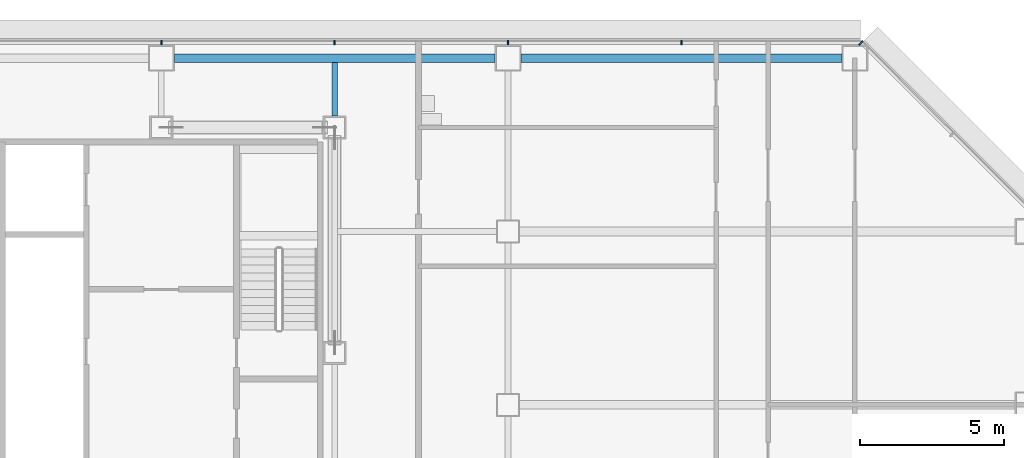
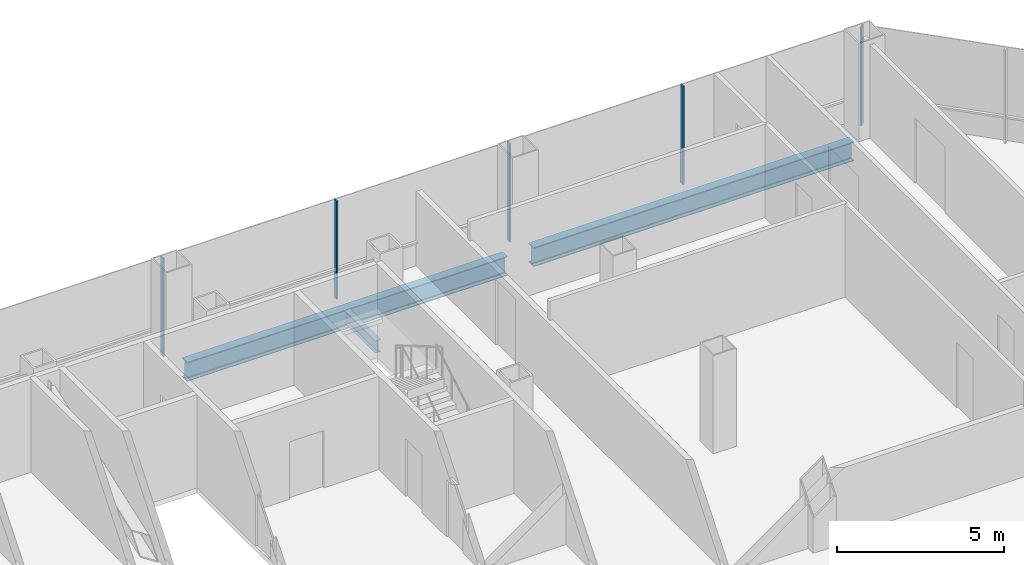
# One storey, part 15 of 26: 5 members, 3 beams, 2 elements without a shape of their own.
"""IFC4 building model written with IfcOpenShell, lengths in metres."""

from ifc_helpers import new_model, si_unit, direction, frame, origin, origin_2d, place, context, subcontext, project, spatial, rectangle, i_section, extrude, material, material_profile, profile_set, type_object, element, aggregate, save


model = new_model("IFC4")

# Units and contexts
model_context = context("Model", 3, precision=1e-05, world=origin(), true_north=direction((0.0, 1.0)))
body_context = subcontext(model_context, "Body", "Model", "MODEL_VIEW")
ifc_project = project(units=[si_unit("LENGTHUNIT", "METRE"), si_unit("AREAUNIT", "SQUARE_METRE"), si_unit("VOLUMEUNIT", "CUBIC_METRE"), si_unit("PLANEANGLEUNIT", "RADIAN"), si_unit("MASSUNIT", "GRAM", prefix="KILO")], contexts=[model_context])

# Site, building, storey
site_placement = place(None, origin())
site = spatial("IfcSite", under=ifc_project, at=site_placement, CompositionType="ELEMENT")
building_placement = place(site_placement, origin())
building = spatial("IfcBuilding", under=site, at=building_placement, Name="Sorahane Residences", CompositionType="ELEMENT")
storey_placement = place(building_placement, frame((0.0, 0.0, 71.39990234375)))
storey = spatial("IfcBuildingStorey", under=building, at=storey_placement, Name="L14", CompositionType="ELEMENT", Elevation=71.39990234375)

# Curtain wall, members
ifc_material_1 = material(Name="Dark low-e glass and black anodised aluminium", Category="aluminium")
curtain_wall_type_1 = type_object("IfcCurtainWallType", Name="Curtain wall CW-1 Typical unitised wall", PredefinedType="NOTDEFINED", material=ifc_material_1)
curtain_wall_1_placement = place(storey_placement, origin())
curtain_wall_1 = element("IfcCurtainWall", 1, at=curtain_wall_1_placement, inside=storey, type_object=curtain_wall_type_1, Name="CW-1 curtain wall L14 N1", PredefinedType="NOTDEFINED")
ifc_material_2 = material(Name="Black anodised aluminium", Category="aluminium")
ifc_material_profile_1 = material_profile(ifc_material_2, rectangle(XDim=0.159912109375, YDim=0.050048828125, at=origin_2d()), Name="Curtain wall mullion CW-1 black anodised aluminium 50x160")
ifc_profile_set_1 = profile_set([ifc_material_profile_1], Name="Black anodised aluminium")
member_type_1 = type_object("IfcMemberType", Name="Curtain wall mullion CW-1 black anodised aluminium 50x160", PredefinedType="MULLION", material=ifc_profile_set_1)
member_1_placement = place(storey_placement, frame((54.0, 48.5400390625, -0.179931640625), z_axis=(0.0, 0.0, 1.0), x_axis=(0.0, 1.0, 0.0)))
member_1 = element("IfcMember", 2, at=member_1_placement, type_object=member_type_1, Name="CW-1 mullion L14 N1.2", PredefinedType="MULLION", context=body_context, shape_type="SweptSolid", body=[
    extrude(rectangle(XDim=0.159912109375, YDim=0.050048828125, at=origin_2d()), origin(), (0.0, 0.0, 1.0), 3.60009765625),
])
member_2_placement = place(storey_placement, frame((48.0, 48.5400390625, -0.179931640625), z_axis=(0.0, 0.0, 1.0), x_axis=(0.0, 1.0, 0.0)))
member_2 = element("IfcMember", 3, at=member_2_placement, type_object=member_type_1, Name="CW-1 mullion L14 N1.3", PredefinedType="MULLION", context=body_context, shape_type="SweptSolid", body=[
    extrude(rectangle(XDim=0.159912109375, YDim=0.050048828125, at=origin_2d()), origin(), (0.0, 0.0, 1.0), 3.60009765625),
])
member_3_placement = place(storey_placement, frame((42.0, 48.5400390625, -0.179931640625), z_axis=(0.0, 0.0, 1.0), x_axis=(0.0, 1.0, 0.0)))
member_3 = element("IfcMember", 4, at=member_3_placement, type_object=member_type_1, Name="CW-1 mullion L14 N1.4", PredefinedType="MULLION", context=body_context, shape_type="SweptSolid", body=[
    extrude(rectangle(XDim=0.159912109375, YDim=0.050048828125, at=origin_2d()), origin(), (0.0, 0.0, 1.0), 3.60009765625),
])
member_4_placement = place(storey_placement, frame((36.0, 48.5400390625, -0.179931640625), z_axis=(0.0, 0.0, 1.0), x_axis=(0.0, 1.0, 0.0)))
member_4 = element("IfcMember", 5, at=member_4_placement, type_object=member_type_1, Name="CW-1 mullion L14 N1.5", PredefinedType="MULLION", context=body_context, shape_type="SweptSolid", body=[
    extrude(rectangle(XDim=0.159912109375, YDim=0.050048828125, at=origin_2d()), origin(), (0.0, 0.0, 1.0), 3.60009765625),
])
aggregate(curtain_wall_1, [member_1, member_2, member_3, member_4])

# Curtain wall, member
ifc_material_3 = material(Name="Dark low-e glass and black anodised aluminium", Category="aluminium")
curtain_wall_type_2 = type_object("IfcCurtainWallType", Name="Curtain wall CW-2 Chamfer unitised wall", PredefinedType="NOTDEFINED", material=ifc_material_3)
curtain_wall_2_placement = place(storey_placement, origin())
curtain_wall_2 = element("IfcCurtainWall", 6, at=curtain_wall_2_placement, inside=storey, type_object=curtain_wall_type_2, Name="CW-2 curtain wall L14 NE1", PredefinedType="NOTDEFINED")
ifc_material_4 = material(Name="Black anodised aluminium", Category="aluminium")
ifc_material_profile_2 = material_profile(ifc_material_4, rectangle(XDim=0.199951171875, YDim=0.050048828125, at=origin_2d()), Name="Curtain wall mullion CW-2 black anodised aluminium 50x200")
ifc_profile_set_2 = profile_set([ifc_material_profile_2], Name="Black anodised aluminium")
member_type_2 = type_object("IfcMemberType", Name="Curtain wall mullion CW-2 black anodised aluminium 50x200", PredefinedType="MULLION", material=ifc_profile_set_2)
member_5_placement = place(storey_placement, frame((60.209716796875, 48.525634765625, -0.179931640625), z_axis=(0.0, 0.0, 1.0), x_axis=(0.707106781187, 0.707106781187, 0.0)))
member_5 = element("IfcMember", 7, at=member_5_placement, type_object=member_type_2, Name="CW-2 mullion L14 NE1.3", PredefinedType="MULLION", context=body_context, shape_type="SweptSolid", body=[
    extrude(rectangle(XDim=0.199951171875, YDim=0.050048828125, at=origin_2d()), origin(), (0.0, 0.0, 1.0), 3.60009765625),
])
aggregate(curtain_wall_2, [member_5])

# Beams
ifc_material_5 = material(Name="Steel Q355B", Category="steel")
ifc_material_profile_3 = material_profile(ifc_material_5, i_section(OverallWidth=0.199951171875, OverallDepth=0.449951171875, WebThickness=0.009033203125, FlangeThickness=0.013916015625, FilletRadius=0.02001953125, at=origin_2d()), Name="HN 450x200x9x14")
ifc_profile_set_3 = profile_set([ifc_material_profile_3], Name="Steel Q355B")
beam_type_1 = type_object("IfcBeamType", Name="Steel floor beam HN 450x200x9x14 Q355B", PredefinedType="BEAM", material=ifc_profile_set_3)
beam_placement = place(storey_placement, frame((42.0, 46.0, -0.40478515625), z_axis=(0.0, 1.0, 0.0), x_axis=(-1.0, 0.0, 0.0)))
element("IfcBeam", 8, at=beam_placement, inside=storey, type_object=beam_type_1, Name="Beam L14 050", PredefinedType="BEAM", context=body_context, shape_type="SweptSolid", body=[
    extrude(i_section(OverallWidth=0.199951171875, OverallDepth=0.449951171875, WebThickness=0.009033203125, FlangeThickness=0.013916015625, FilletRadius=0.02001953125, at=origin_2d()), origin(), (0.0, 0.0, 1.0), 1.85009765625),
])
ifc_material_6 = material(Name="Steel Q355B", Category="steel")
ifc_material_profile_4 = material_profile(ifc_material_6, i_section(OverallWidth=0.300048828125, OverallDepth=0.699951171875, WebThickness=0.012939453125, FlangeThickness=0.02392578125, FilletRadius=0.028076171875, at=origin_2d()), Name="HN 700x300x13x24")
ifc_profile_set_4 = profile_set([ifc_material_profile_4], Name="Steel Q355B")
beam_type_2 = type_object("IfcBeamType", Name="Steel floor beam HN 700x300x13x24 Q355B", PredefinedType="BEAM", material=ifc_profile_set_4)
for number, where, z_axis, x_axis, name in (
    (9, (36.449951171875, 48.0, -0.52978515625), (1.0, 0.0, 0.0), (0.0, 1.0, 0.0), "Beam L14 015"),
    (10, (48.449951171875, 48.0, -0.52978515625), (1.0, 0.0, 0.0), (0.0, 1.0, 0.0), "Beam L14 016"),
):
    element("IfcBeam", number, at=place(storey_placement, frame(where, z_axis=z_axis, x_axis=x_axis)), inside=storey, type_object=beam_type_2, Name=name, PredefinedType="BEAM", context=body_context, shape_type="SweptSolid", body=[
        extrude(i_section(OverallWidth=0.300048828125, OverallDepth=0.699951171875, WebThickness=0.012939453125, FlangeThickness=0.02392578125, FilletRadius=0.028076171875, at=origin_2d()), origin(), (0.0, 0.0, 1.0), 11.10009765625),
    ])

save(model, "model.ifc")
